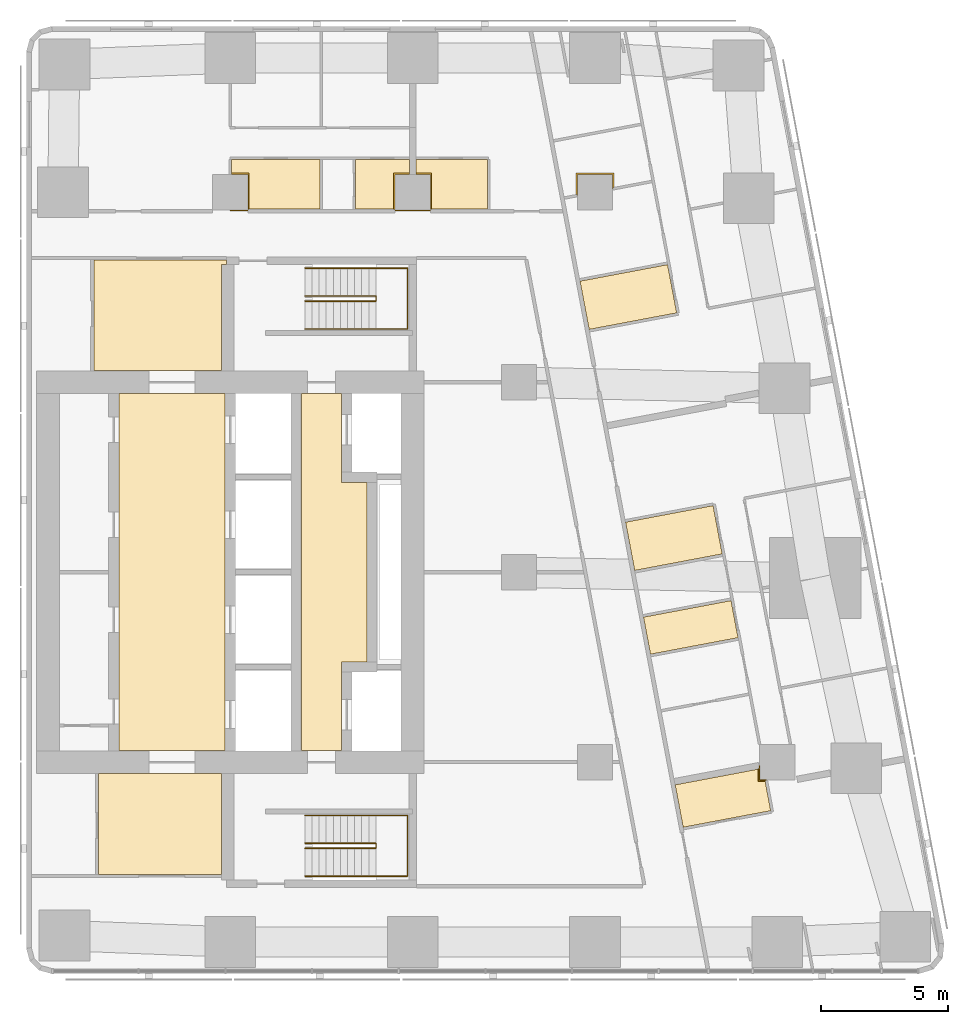
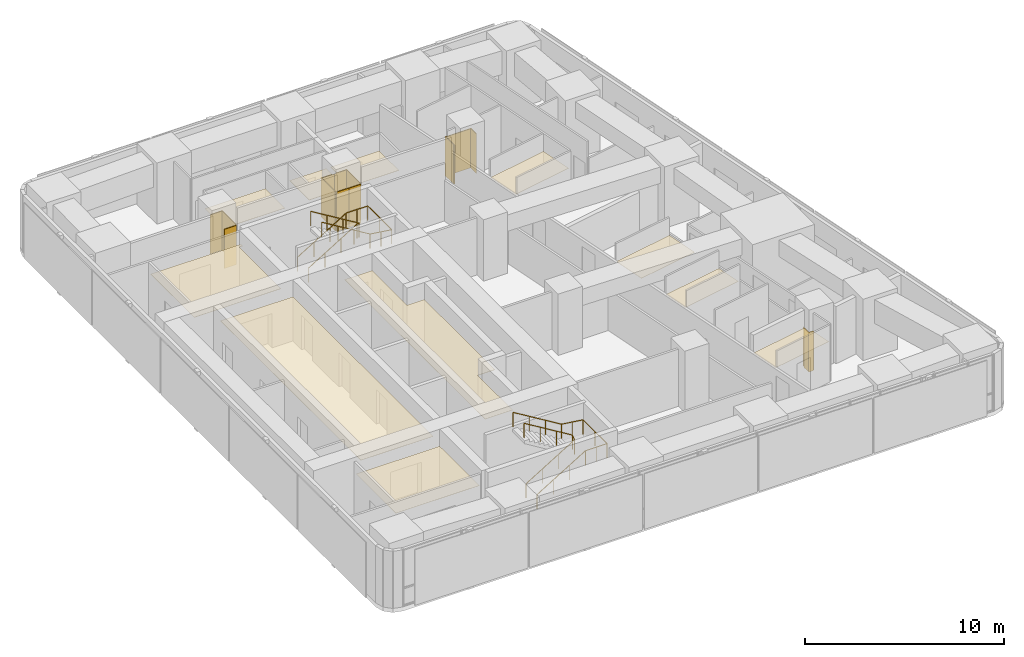
# One storey, part 11 of 11: 16 coverings, 4 railings.
"""IFC4 building model written with IfcOpenShell, lengths in metres."""

from ifc_helpers import new_model, si_unit, direction, frame, origin, origin_2d, place, context, subcontext, project, spatial, polyline, circle, outline, extrude, material, layer, layer_set, type_object, element, save


model = new_model("IFC4")

# Units and contexts
model_context = context("Model", 3, precision=1e-05, world=origin(), true_north=direction((0.0, 1.0)))
body_context = subcontext(model_context, "Body", "Model", "MODEL_VIEW")
ifc_project = project(units=[si_unit("LENGTHUNIT", "METRE"), si_unit("AREAUNIT", "SQUARE_METRE"), si_unit("VOLUMEUNIT", "CUBIC_METRE"), si_unit("PLANEANGLEUNIT", "RADIAN"), si_unit("MASSUNIT", "GRAM", prefix="KILO")], contexts=[model_context])

# Site, building, storey
site_placement = place(None, origin())
site = spatial("IfcSite", under=ifc_project, at=site_placement, CompositionType="ELEMENT")
building_placement = place(site_placement, origin())
building = spatial("IfcBuilding", under=site, at=building_placement, Name="Sheger Commons Tower", CompositionType="ELEMENT")
storey_placement = place(building_placement, frame((0.0, 0.0, 277.85009765625)))
storey = spatial("IfcBuildingStorey", under=building, at=storey_placement, Name="L71", CompositionType="ELEMENT", Elevation=277.85009765625)

# Railings
ifc_material_1 = material(Name="Steel handrail, black powder-coated", Category="steel")
railing_type = type_object("IfcRailingType", Name="HANDRAIL 900", PredefinedType="HANDRAIL", material=ifc_material_1)
railing_1_placement = place(storey_placement, frame((24.550048828125, 11.60009765625, 0.17041015625)))
element("IfcRailing", 1, at=railing_1_placement, inside=storey, type_object=railing_type, Name="Stair S1 handrail L71", PredefinedType="HANDRAIL", context=body_context, shape_type="SweptSolid", body=[
    extrude(circle(Radius=0.02392578125, at=origin_2d()), frame((0.0, 0.0, 0.8759765625), z_axis=(0.854169791009, 0.0, 0.51999420009), x_axis=(0.0, 1.0, 0.0)), (0.0, 0.0, 1.0), 3.278076171875),
    extrude(circle(Radius=0.02392578125, at=origin_2d()), frame((2.800048828125, 0.0, 2.58056640625), z_axis=(0.0, 0.761090297175, 0.648645943136), x_axis=(-1.0, 0.0, 0.0)), (0.0, 0.0, 1.0), 0.2626953125),
    extrude(circle(Radius=0.02392578125, at=origin_2d()), frame((2.800048828125, 0.199951171875, 2.7509765625), z_axis=(-0.854169791009, 0.0, 0.51999420009), x_axis=(0.0, -1.0, 0.0)), (0.0, 0.0, 1.0), 3.278076171875),
    extrude(circle(Radius=0.02099609375, at=origin_2d()), origin(), (0.0, 0.0, 1.0), 0.851806640625),
    extrude(circle(Radius=0.02099609375, at=origin_2d()), frame((0.933349609375, 0.0, 0.568115234375)), (0.0, 0.0, 1.0), 0.851806640625),
    extrude(circle(Radius=0.02099609375, at=origin_2d()), frame((1.86669921875, 0.0, 1.136474609375)), (0.0, 0.0, 1.0), 0.851806640625),
    extrude(circle(Radius=0.02099609375, at=origin_2d()), frame((2.800048828125, 0.0, 1.70458984375)), (0.0, 0.0, 1.0), 0.851806640625),
    extrude(circle(Radius=0.02099609375, at=origin_2d()), frame((2.800048828125, 0.199951171875, 1.875)), (0.0, 0.0, 1.0), 0.851806640625),
    extrude(circle(Radius=0.02099609375, at=origin_2d()), frame((1.86669921875, 0.199951171875, 2.443115234375)), (0.0, 0.0, 1.0), 0.851806640625),
    extrude(circle(Radius=0.02099609375, at=origin_2d()), frame((0.933349609375, 0.199951171875, 3.011474609375)), (0.0, 0.0, 1.0), 0.851806640625),
    extrude(circle(Radius=0.02099609375, at=origin_2d()), frame((0.0, 0.199951171875, 3.57958984375)), (0.0, 0.0, 1.0), 0.851806640625),
])
railing_2_placement = place(storey_placement, frame((24.550048828125, 10.5, 0.17041015625)))
element("IfcRailing", 2, at=railing_2_placement, inside=storey, type_object=railing_type, Name="Stair S1 handrail L71", PredefinedType="HANDRAIL", context=body_context, shape_type="SweptSolid", body=[
    extrude(circle(Radius=0.02392578125, at=origin_2d()), frame((0.0, 0.0, 0.8759765625), z_axis=(0.854169791009, 0.0, 0.51999420009), x_axis=(0.0, 1.0, 0.0)), (0.0, 0.0, 1.0), 3.278076171875),
    extrude(circle(Radius=0.02392578125, at=origin_2d()), frame((2.800048828125, 0.0, 2.58056640625), z_axis=(1.0, 0.0, 0.0), x_axis=(0.0, 1.0, 0.0)), (0.0, 0.0, 1.0), 1.25),
    extrude(circle(Radius=0.02392578125, at=origin_2d()), frame((4.050048828125, 0.0, 2.58056640625), z_axis=(0.0, 1.0, 0.0), x_axis=(-1.0, 0.0, 0.0)), (0.0, 0.0, 1.0), 2.39990234375),
    extrude(circle(Radius=0.02392578125, at=origin_2d()), frame((4.050048828125, 2.39990234375, 2.58056640625), z_axis=(-0.990834877927, 0.0, 0.135078661092), x_axis=(0.0, -1.0, 0.0)), (0.0, 0.0, 1.0), 1.261474609375),
    extrude(circle(Radius=0.02392578125, at=origin_2d()), frame((2.800048828125, 2.39990234375, 2.7509765625), z_axis=(-0.854169791009, 0.0, 0.51999420009), x_axis=(0.0, -1.0, 0.0)), (0.0, 0.0, 1.0), 3.278076171875),
    extrude(circle(Radius=0.02099609375, at=origin_2d()), origin(), (0.0, 0.0, 1.0), 0.851806640625),
    extrude(circle(Radius=0.02099609375, at=origin_2d()), frame((0.933349609375, 0.0, 0.568115234375)), (0.0, 0.0, 1.0), 0.851806640625),
    extrude(circle(Radius=0.02099609375, at=origin_2d()), frame((1.86669921875, 0.0, 1.136474609375)), (0.0, 0.0, 1.0), 0.851806640625),
    extrude(circle(Radius=0.02099609375, at=origin_2d()), frame((2.800048828125, 0.0, 1.70458984375)), (0.0, 0.0, 1.0), 0.851806640625),
    extrude(circle(Radius=0.02099609375, at=origin_2d()), frame((3.425048828125, 0.0, 1.70458984375)), (0.0, 0.0, 1.0), 0.851806640625),
    extrude(circle(Radius=0.02099609375, at=origin_2d()), frame((4.050048828125, 0.0, 1.70458984375)), (0.0, 0.0, 1.0), 0.851806640625),
    extrude(circle(Radius=0.02099609375, at=origin_2d()), frame((4.050048828125, 1.199951171875, 1.70458984375)), (0.0, 0.0, 1.0), 0.851806640625),
    extrude(circle(Radius=0.02099609375, at=origin_2d()), frame((4.050048828125, 2.39990234375, 1.70458984375)), (0.0, 0.0, 1.0), 0.851806640625),
    extrude(circle(Radius=0.02099609375, at=origin_2d()), frame((3.425048828125, 2.39990234375, 1.789794921875)), (0.0, 0.0, 1.0), 0.851806640625),
    extrude(circle(Radius=0.02099609375, at=origin_2d()), frame((2.800048828125, 2.39990234375, 1.875)), (0.0, 0.0, 1.0), 0.851806640625),
    extrude(circle(Radius=0.02099609375, at=origin_2d()), frame((1.86669921875, 2.39990234375, 2.443115234375)), (0.0, 0.0, 1.0), 0.851806640625),
    extrude(circle(Radius=0.02099609375, at=origin_2d()), frame((0.933349609375, 2.39990234375, 3.011474609375)), (0.0, 0.0, 1.0), 0.851806640625),
    extrude(circle(Radius=0.02099609375, at=origin_2d()), frame((0.0, 2.39990234375, 3.57958984375)), (0.0, 0.0, 1.0), 0.851806640625),
])
railing_3_placement = place(storey_placement, frame((24.550048828125, 33.39990234375, 0.17041015625)))
element("IfcRailing", 3, at=railing_3_placement, inside=storey, type_object=railing_type, Name="Stair S2 handrail L71", PredefinedType="HANDRAIL", context=body_context, shape_type="SweptSolid", body=[
    extrude(circle(Radius=0.02392578125, at=origin_2d()), frame((0.0, 0.0, 0.8759765625), z_axis=(0.854169791009, 0.0, 0.51999420009), x_axis=(0.0, 1.0, 0.0)), (0.0, 0.0, 1.0), 3.278076171875),
    extrude(circle(Radius=0.02392578125, at=origin_2d()), frame((2.800048828125, 0.0, 2.58056640625), z_axis=(0.0, -0.761090297175, 0.648645943136), x_axis=(1.0, 0.0, 0.0)), (0.0, 0.0, 1.0), 0.2626953125),
    extrude(circle(Radius=0.02392578125, at=origin_2d()), frame((2.800048828125, -0.199951171875, 2.7509765625), z_axis=(-0.854169791009, 0.0, 0.51999420009), x_axis=(0.0, -1.0, 0.0)), (0.0, 0.0, 1.0), 3.278076171875),
    extrude(circle(Radius=0.02099609375, at=origin_2d()), origin(), (0.0, 0.0, 1.0), 0.851806640625),
    extrude(circle(Radius=0.02099609375, at=origin_2d()), frame((0.933349609375, 0.0, 0.568115234375)), (0.0, 0.0, 1.0), 0.851806640625),
    extrude(circle(Radius=0.02099609375, at=origin_2d()), frame((1.86669921875, 0.0, 1.136474609375)), (0.0, 0.0, 1.0), 0.851806640625),
    extrude(circle(Radius=0.02099609375, at=origin_2d()), frame((2.800048828125, 0.0, 1.70458984375)), (0.0, 0.0, 1.0), 0.851806640625),
    extrude(circle(Radius=0.02099609375, at=origin_2d()), frame((2.800048828125, -0.199951171875, 1.875)), (0.0, 0.0, 1.0), 0.851806640625),
    extrude(circle(Radius=0.02099609375, at=origin_2d()), frame((1.86669921875, -0.199951171875, 2.443115234375)), (0.0, 0.0, 1.0), 0.851806640625),
    extrude(circle(Radius=0.02099609375, at=origin_2d()), frame((0.933349609375, -0.199951171875, 3.011474609375)), (0.0, 0.0, 1.0), 0.851806640625),
    extrude(circle(Radius=0.02099609375, at=origin_2d()), frame((0.0, -0.199951171875, 3.57958984375)), (0.0, 0.0, 1.0), 0.851806640625),
])
railing_4_placement = place(storey_placement, frame((24.550048828125, 34.5, 0.17041015625)))
element("IfcRailing", 4, at=railing_4_placement, inside=storey, type_object=railing_type, Name="Stair S2 handrail L71", PredefinedType="HANDRAIL", context=body_context, shape_type="SweptSolid", body=[
    extrude(circle(Radius=0.02392578125, at=origin_2d()), frame((0.0, 0.0, 0.8759765625), z_axis=(0.854169791009, 0.0, 0.51999420009), x_axis=(0.0, 1.0, 0.0)), (0.0, 0.0, 1.0), 3.278076171875),
    extrude(circle(Radius=0.02392578125, at=origin_2d()), frame((2.800048828125, 0.0, 2.58056640625), z_axis=(1.0, 0.0, 0.0), x_axis=(0.0, 1.0, 0.0)), (0.0, 0.0, 1.0), 1.25),
    extrude(circle(Radius=0.02392578125, at=origin_2d()), frame((4.050048828125, 0.0, 2.58056640625), z_axis=(0.0, -1.0, 0.0), x_axis=(1.0, 0.0, 0.0)), (0.0, 0.0, 1.0), 2.39990234375),
    extrude(circle(Radius=0.02392578125, at=origin_2d()), frame((4.050048828125, -2.39990234375, 2.58056640625), z_axis=(-0.990834877927, 0.0, 0.135078661092), x_axis=(0.0, -1.0, 0.0)), (0.0, 0.0, 1.0), 1.261474609375),
    extrude(circle(Radius=0.02392578125, at=origin_2d()), frame((2.800048828125, -2.39990234375, 2.7509765625), z_axis=(-0.854169791009, 0.0, 0.51999420009), x_axis=(0.0, -1.0, 0.0)), (0.0, 0.0, 1.0), 3.278076171875),
    extrude(circle(Radius=0.02099609375, at=origin_2d()), origin(), (0.0, 0.0, 1.0), 0.851806640625),
    extrude(circle(Radius=0.02099609375, at=origin_2d()), frame((0.933349609375, 0.0, 0.568115234375)), (0.0, 0.0, 1.0), 0.851806640625),
    extrude(circle(Radius=0.02099609375, at=origin_2d()), frame((1.86669921875, 0.0, 1.136474609375)), (0.0, 0.0, 1.0), 0.851806640625),
    extrude(circle(Radius=0.02099609375, at=origin_2d()), frame((2.800048828125, 0.0, 1.70458984375)), (0.0, 0.0, 1.0), 0.851806640625),
    extrude(circle(Radius=0.02099609375, at=origin_2d()), frame((3.425048828125, 0.0, 1.70458984375)), (0.0, 0.0, 1.0), 0.851806640625),
    extrude(circle(Radius=0.02099609375, at=origin_2d()), frame((4.050048828125, 0.0, 1.70458984375)), (0.0, 0.0, 1.0), 0.851806640625),
    extrude(circle(Radius=0.02099609375, at=origin_2d()), frame((4.050048828125, -1.199951171875, 1.70458984375)), (0.0, 0.0, 1.0), 0.851806640625),
    extrude(circle(Radius=0.02099609375, at=origin_2d()), frame((4.050048828125, -2.39990234375, 1.70458984375)), (0.0, 0.0, 1.0), 0.851806640625),
    extrude(circle(Radius=0.02099609375, at=origin_2d()), frame((3.425048828125, -2.39990234375, 1.789794921875)), (0.0, 0.0, 1.0), 0.851806640625),
    extrude(circle(Radius=0.02099609375, at=origin_2d()), frame((2.800048828125, -2.39990234375, 1.875)), (0.0, 0.0, 1.0), 0.851806640625),
    extrude(circle(Radius=0.02099609375, at=origin_2d()), frame((1.86669921875, -2.39990234375, 2.443115234375)), (0.0, 0.0, 1.0), 0.851806640625),
    extrude(circle(Radius=0.02099609375, at=origin_2d()), frame((0.933349609375, -2.39990234375, 3.011474609375)), (0.0, 0.0, 1.0), 0.851806640625),
    extrude(circle(Radius=0.02099609375, at=origin_2d()), frame((0.0, -2.39990234375, 3.57958984375)), (0.0, 0.0, 1.0), 0.851806640625),
])

# Coverings
ifc_material_2 = material(Name="Moisture-resistant gypsum plasterboard 15 mm on a suspended galvanised steel grid", Category="steel")
ifc_layer_1 = layer(ifc_material_2, 0.014892578125)
ifc_layer_set_1 = layer_set([ifc_layer_1], Name="MOISTURE-RESISTANT CEILING 15")
covering_type_1 = type_object("IfcCoveringType", Name="MOISTURE-RESISTANT CEILING 15", PredefinedType="CEILING", material=ifc_layer_set_1)
covering_1_placement = place(storey_placement, frame((0.0, 0.0, 2.39990234375)))
element("IfcCovering", 5, at=covering_1_placement, inside=storey, type_object=covering_type_1, Name="L71-01.B1 ceiling", PredefinedType="CEILING", context=body_context, shape_type="SweptSolid", body=[
    extrude(outline(polyline([(35.77001953125, 32.083984375), (39.22509765625, 32.736083984375), (38.864990234375, 34.64208984375), (35.409912109375, 33.989990234375), (35.77001953125, 32.083984375)])), origin(), (0.0, 0.0, 1.0), 0.014892578125),
])
covering_2_placement = place(storey_placement, frame((0.0, 0.0, 2.39990234375)))
element("IfcCovering", 6, at=covering_2_placement, inside=storey, type_object=covering_type_1, Name="L71-02.B1 ceiling", PredefinedType="CEILING", context=body_context, shape_type="SweptSolid", body=[
    extrude(outline(polyline([(37.568115234375, 22.569091796875), (41.02197265625, 23.220947265625), (40.662109375, 25.1279296875), (37.2080078125, 24.47509765625), (37.568115234375, 22.569091796875)])), origin(), (0.0, 0.0, 1.0), 0.014892578125),
])
covering_3_placement = place(storey_placement, frame((0.0, 0.0, 2.39990234375)))
element("IfcCovering", 7, at=covering_3_placement, inside=storey, type_object=covering_type_1, Name="L71-02.B2 ceiling", PredefinedType="CEILING", context=body_context, shape_type="SweptSolid", body=[
    extrude(outline(polyline([(38.19189453125, 19.260986328125), (41.64697265625, 19.9140625), (41.37109375, 21.3779296875), (37.916015625, 20.72607421875), (38.19189453125, 19.260986328125)])), origin(), (0.0, 0.0, 1.0), 0.014892578125),
])
covering_4_placement = place(storey_placement, frame((0.0, 0.0, 2.39990234375)))
element("IfcCovering", 8, at=covering_4_placement, inside=storey, type_object=covering_type_1, Name="L71-03.B1 ceiling", PredefinedType="CEILING", context=body_context, shape_type="SweptSolid", body=[
    extrude(outline(polyline([(39.48291015625, 12.429931640625), (42.93701171875, 13.0830078125), (42.7099609375, 14.284912109375), (42.7529296875, 14.29296875), (42.7529296875, 14.294921875), (42.4951171875, 14.294921875), (42.4951171875, 14.73388671875), (39.166015625, 14.10498046875), (39.48291015625, 12.429931640625)])), origin(), (0.0, 0.0, 1.0), 0.014892578125),
])
covering_5_placement = place(storey_placement, frame((0.0, 0.0, 2.39990234375)))
element("IfcCovering", 9, at=covering_5_placement, inside=storey, type_object=covering_type_1, Name="L71-04.B1 ceiling", PredefinedType="CEILING", context=body_context, shape_type="SweptSolid", body=[
    extrude(outline(polyline([(22.304931640625, 36.830078125), (25.14501953125, 36.830078125), (25.14501953125, 38.794921875), (21.655029296875, 38.794921875), (21.655029296875, 38.205078125), (22.304931640625, 38.205078125), (22.304931640625, 36.830078125)])), origin(), (0.0, 0.0, 1.0), 0.014892578125),
])
covering_6_placement = place(storey_placement, frame((0.0, 0.0, 2.39990234375)))
element("IfcCovering", 10, at=covering_6_placement, inside=storey, type_object=covering_type_1, Name="L71-04.B2 ceiling", PredefinedType="CEILING", context=body_context, shape_type="SweptSolid", body=[
    extrude(outline(polyline([(26.554931640625, 36.830078125), (28.094970703125, 36.830078125), (28.094970703125, 38.205078125), (28.669921875, 38.205078125), (28.669921875, 38.794921875), (26.554931640625, 38.794921875), (26.554931640625, 36.830078125)])), origin(), (0.0, 0.0, 1.0), 0.014892578125),
])
covering_7_placement = place(storey_placement, frame((0.0, 0.0, 2.39990234375)))
element("IfcCovering", 11, at=covering_7_placement, inside=storey, type_object=covering_type_1, Name="L71-05.B1 ceiling", PredefinedType="CEILING", context=body_context, shape_type="SweptSolid", body=[
    extrude(outline(polyline([(29.5048828125, 36.830078125), (31.7490234375, 36.830078125), (31.7490234375, 38.794921875), (28.929931640625, 38.794921875), (28.929931640625, 38.205078125), (29.5048828125, 38.205078125), (29.5048828125, 36.830078125)])), origin(), (0.0, 0.0, 1.0), 0.014892578125),
])
ifc_material_3 = material(Name="Gypsum plasterboard 15 mm on a suspended steel grid", Category="steel")
ifc_layer_2 = layer(ifc_material_3, 0.014892578125)
ifc_layer_set_2 = layer_set([ifc_layer_2], Name="SUSPENDED CEILING 15")
covering_type_2 = type_object("IfcCoveringType", Name="SUSPENDED CEILING 15", PredefinedType="CEILING", material=ifc_layer_set_2)
covering_8_placement = place(storey_placement, frame((0.0, 0.0, 2.699951171875)))
element("IfcCovering", 12, at=covering_8_placement, inside=storey, type_object=covering_type_2, Name="L71-SVS1 ceiling", PredefinedType="CEILING", context=body_context, shape_type="SweptSolid", body=[
    extrude(outline(polyline([(16.406982421875, 10.568115234375), (21.2451171875, 10.568115234375), (21.2451171875, 14.544921875), (16.406982421875, 14.544921875), (16.406982421875, 10.568115234375)])), origin(), (0.0, 0.0, 1.0), 0.014892578125),
])
covering_9_placement = place(storey_placement, frame((0.0, 0.0, 2.699951171875)))
element("IfcCovering", 13, at=covering_9_placement, inside=storey, type_object=covering_type_2, Name="L71-SVN1 ceiling", PredefinedType="CEILING", context=body_context, shape_type="SweptSolid", body=[
    extrude(outline(polyline([(16.217041015625, 30.455078125), (21.2451171875, 30.455078125), (21.2451171875, 34.655029296875), (21.445068359375, 34.655029296875), (21.445068359375, 34.83203125), (16.217041015625, 34.83203125), (16.217041015625, 30.455078125)])), origin(), (0.0, 0.0, 1.0), 0.014892578125),
])
covering_10_placement = place(storey_placement, frame((0.0, 0.0, 2.699951171875)))
element("IfcCovering", 14, at=covering_10_placement, inside=storey, type_object=covering_type_2, Name="L71-LL ceiling", PredefinedType="CEILING", context=body_context, shape_type="SweptSolid", body=[
    extrude(outline(polyline([(17.205078125, 15.455078125), (21.39990234375, 15.455078125), (21.39990234375, 29.544921875), (17.205078125, 29.544921875), (17.205078125, 15.455078125)])), origin(), (0.0, 0.0, 1.0), 0.014892578125),
])
covering_11_placement = place(storey_placement, frame((0.0, 0.0, 2.699951171875)))
element("IfcCovering", 15, at=covering_11_placement, inside=storey, type_object=covering_type_2, Name="L71-FL ceiling", PredefinedType="CEILING", context=body_context, shape_type="SweptSolid", body=[
    extrude(outline(polyline([(24.405029296875, 15.455078125), (25.9951171875, 15.455078125), (25.9951171875, 18.955078125), (26.9951171875, 18.955078125), (26.9951171875, 26.044921875), (25.9951171875, 26.044921875), (25.9951171875, 29.544921875), (24.405029296875, 29.544921875), (24.405029296875, 15.455078125)])), origin(), (0.0, 0.0, 1.0), 0.014892578125),
])
ifc_material_4 = material(Name="Moisture-resistant gypsum board 12.5 mm on 25 mm treated timber battens, tanked and tiled", Category="wood")
ifc_layer_3 = layer(ifc_material_4, 0.050048828125)
ifc_layer_set_3 = layer_set([ifc_layer_3], Name="WET-ROOM COLUMN LINING")
covering_type_3 = type_object("IfcCoveringType", Name="WET-ROOM COLUMN LINING", PredefinedType="CLADDING", material=ifc_layer_set_3)
covering_12_placement = place(storey_placement, origin())
element("IfcCovering", 16, at=covering_12_placement, inside=storey, type_object=covering_type_3, Name="Shower room column lining C11 L71", PredefinedType="CLADDING", context=body_context, shape_type="SweptSolid", body=[
    extrude(outline(polyline([(42.5, 14.866943359375), (42.5, 14.300048828125), (42.762939453125, 14.300048828125), (42.764892578125, 14.2900390625), (42.716064453125, 14.281005859375), (42.721923828125, 14.25), (42.449951171875, 14.25), (42.449951171875, 14.73095703125), (42.4990234375, 14.739990234375), (42.47607421875, 14.862060546875), (42.5, 14.866943359375)])), origin(), (0.0, 0.0, 1.0), 2.39990234375),
])
covering_13_placement = place(storey_placement, origin())
element("IfcCovering", 17, at=covering_13_placement, inside=storey, type_object=covering_type_3, Name="Bathroom column lining C11 L71", PredefinedType="CLADDING", context=body_context, shape_type="SweptSolid", body=[
    extrude(outline(polyline([(22.35009765625, 36.824951171875), (22.301025390625, 36.824951171875), (22.301025390625, 36.75), (21.60009765625, 36.75), (21.60009765625, 36.800048828125), (22.300048828125, 36.800048828125), (22.300048828125, 38.199951171875), (21.60009765625, 38.199951171875), (21.60009765625, 38.200927734375), (21.64990234375, 38.200927734375), (21.64990234375, 38.25), (22.35009765625, 38.25), (22.35009765625, 36.824951171875)])), origin(), (0.0, 0.0, 1.0), 2.39990234375),
])
covering_14_placement = place(storey_placement, origin())
element("IfcCovering", 18, at=covering_14_placement, inside=storey, type_object=covering_type_3, Name="Shower room column lining C11 L71", PredefinedType="CLADDING", context=body_context, shape_type="SweptSolid", body=[
    extrude(outline(polyline([(28.675048828125, 38.25), (28.675048828125, 38.200927734375), (28.800048828125, 38.200927734375), (28.800048828125, 38.199951171875), (28.10009765625, 38.199951171875), (28.10009765625, 36.800048828125), (28.800048828125, 36.800048828125), (28.800048828125, 36.75), (28.09912109375, 36.75), (28.09912109375, 36.824951171875), (28.050048828125, 36.824951171875), (28.050048828125, 38.25), (28.675048828125, 38.25)])), origin(), (0.0, 0.0, 1.0), 2.39990234375),
])
covering_15_placement = place(storey_placement, origin())
element("IfcCovering", 19, at=covering_15_placement, inside=storey, type_object=covering_type_3, Name="Shower room column lining C11 L71", PredefinedType="CLADDING", context=body_context, shape_type="SweptSolid", body=[
    extrude(outline(polyline([(29.550048828125, 36.824951171875), (29.5009765625, 36.824951171875), (29.5009765625, 36.75), (28.800048828125, 36.75), (28.800048828125, 36.800048828125), (29.5, 36.800048828125), (29.5, 38.199951171875), (28.800048828125, 38.199951171875), (28.800048828125, 38.200927734375), (28.925048828125, 38.200927734375), (28.925048828125, 38.25), (29.550048828125, 38.25), (29.550048828125, 36.824951171875)])), origin(), (0.0, 0.0, 1.0), 2.39990234375),
])
covering_16_placement = place(storey_placement, origin())
element("IfcCovering", 20, at=covering_16_placement, inside=storey, type_object=covering_type_3, Name="Laundry room column lining C11 L71", PredefinedType="CLADDING", context=body_context, shape_type="SweptSolid", body=[
    extrude(outline(polyline([(36.75, 38.25), (36.75, 37.69189453125), (36.700927734375, 37.68310546875), (36.7099609375, 37.635009765625), (36.699951171875, 37.633056640625), (36.699951171875, 38.199951171875), (35.300048828125, 38.199951171875), (35.300048828125, 37.367919921875), (35.2900390625, 37.365966796875), (35.281005859375, 37.4150390625), (35.25, 37.408935546875), (35.25, 38.25), (36.75, 38.25)])), origin(), (0.0, 0.0, 1.0), 2.39990234375),
])

save(model, "model.ifc")
